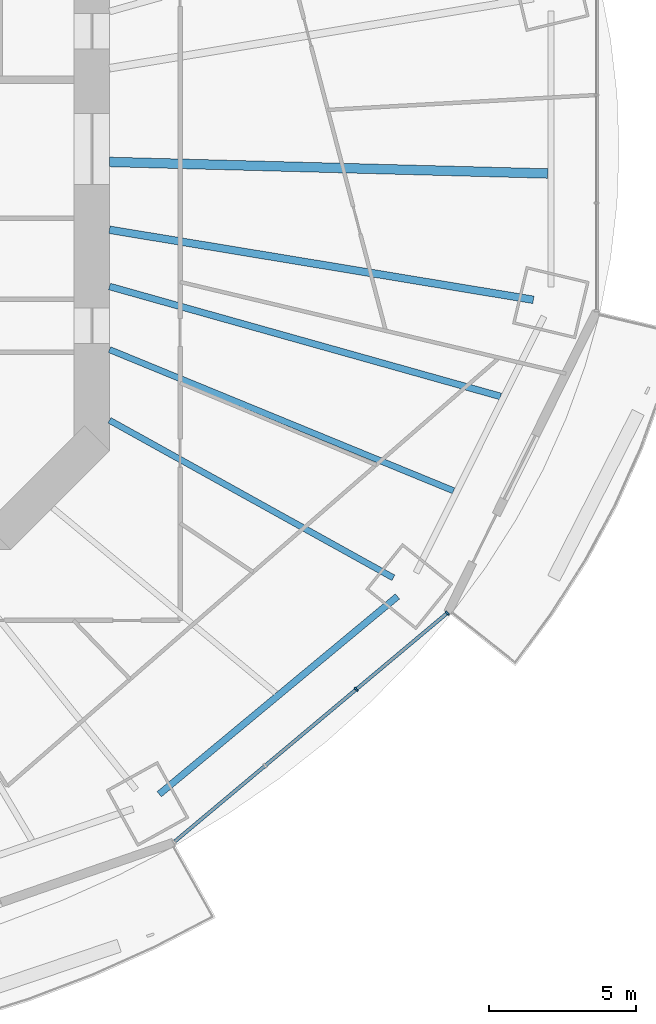
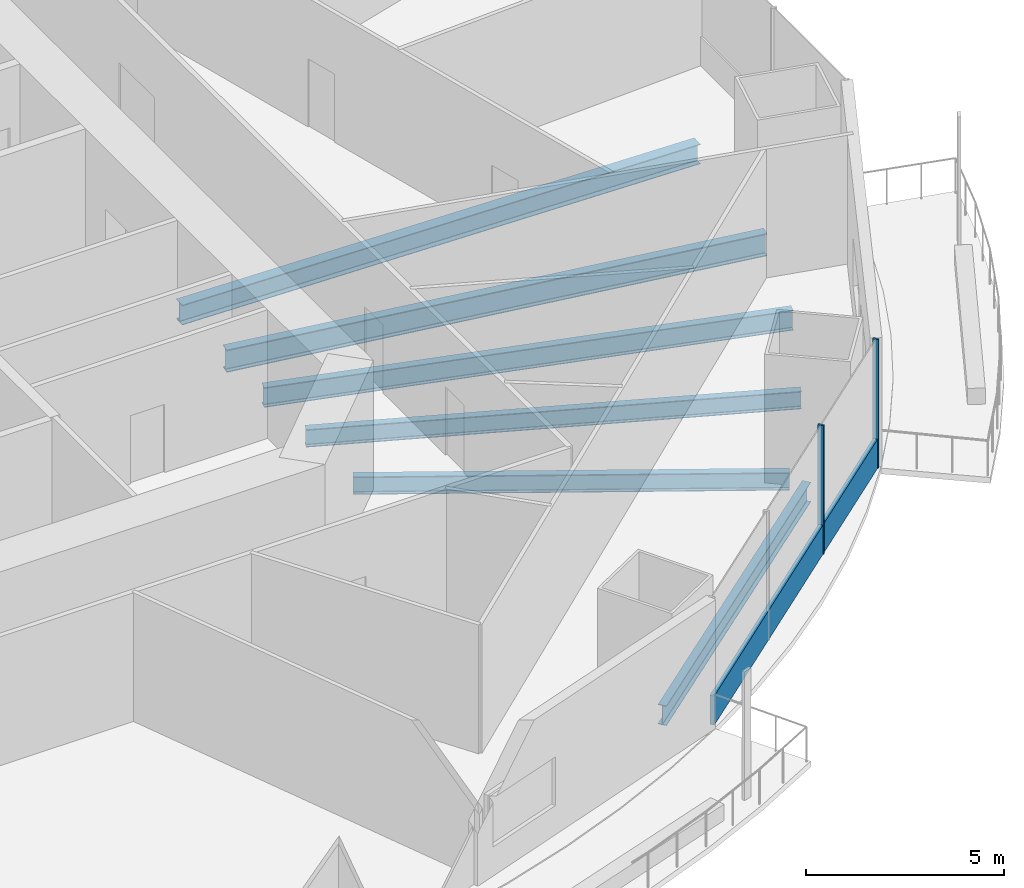
# One storey, part 5 of 21: 6 beams, 3 members, 1 element without a shape of its own.
"""IFC4 building model written with IfcOpenShell, lengths in metres."""

from ifc_helpers import new_model, si_unit, direction, frame, origin, origin_2d, place, context, subcontext, project, spatial, rectangle, i_section, extrude, material, material_profile, profile_set, type_object, element, aggregate, save


model = new_model("IFC4")

# Units and contexts
model_context = context("Model", 3, precision=1e-05, world=origin(), true_north=direction((0.0, 1.0)))
body_context = subcontext(model_context, "Body", "Model", "MODEL_VIEW")
ifc_project = project(units=[si_unit("LENGTHUNIT", "METRE"), si_unit("AREAUNIT", "SQUARE_METRE"), si_unit("VOLUMEUNIT", "CUBIC_METRE"), si_unit("PLANEANGLEUNIT", "RADIAN"), si_unit("MASSUNIT", "GRAM", prefix="KILO")], contexts=[model_context])

# Site, building, storey
site_placement = place(None, origin())
site = spatial("IfcSite", under=ifc_project, at=site_placement, CompositionType="ELEMENT")
building_placement = place(site_placement, origin())
building = spatial("IfcBuilding", under=site, at=building_placement, Name="Marenthal Gate Tower", CompositionType="ELEMENT")
storey_placement = place(building_placement, frame((0.0, 0.0, 120.14990234375)))
storey = spatial("IfcBuildingStorey", under=building, at=storey_placement, Name="L25", CompositionType="ELEMENT", Elevation=120.14990234375)

# Curtain wall, members
ifc_material_1 = material(Name="Aluminium and glass", Category="aluminium")
curtain_wall_type = type_object("IfcCurtainWallType", Name="Curtain wall typical low", PredefinedType="NOTDEFINED", material=ifc_material_1)
curtain_wall_placement = place(storey_placement, origin())
curtain_wall = element("IfcCurtainWall", 1, at=curtain_wall_placement, inside=storey, type_object=curtain_wall_type, Name="Curtain wall L25 bay 14", PredefinedType="NOTDEFINED")
ifc_material_2 = material(Name="Aluminium", Category="aluminium")
ifc_material_profile_1 = material_profile(ifc_material_2, rectangle(XDim=0.159912109375, YDim=0.06005859375, at=origin_2d()), Name="60x160 aluminium mullion")
ifc_profile_set_1 = profile_set([ifc_material_profile_1], Name="Aluminium")
member_type_1 = type_object("IfcMemberType", Name="Mullion 60x160 typical low", PredefinedType="MULLION", material=ifc_profile_set_1)
member_1_placement = place(storey_placement, frame((24.975830078125, -18.345947265625, 0.0), z_axis=(0.0, 0.0, 1.0), x_axis=(-0.642437868504, 0.766337774817, 0.0)))
member_1 = element("IfcMember", 2, at=member_1_placement, type_object=member_type_1, Name="Mullion L25 bay 14.3", PredefinedType="MULLION", context=body_context, shape_type="SweptSolid", body=[
    extrude(rectangle(XDim=0.159912109375, YDim=0.06005859375, at=origin_2d()), origin(), (0.0, 0.0, 1.0), 3.97021484375),
])
member_2_placement = place(storey_placement, frame((28.0673828125, -15.754150390625, 0.0), z_axis=(0.0, 0.0, 1.0), x_axis=(-0.642437868504, 0.766337774817, 0.0)))
member_2 = element("IfcMember", 3, at=member_2_placement, type_object=member_type_1, Name="Mullion L25 bay 14.4", PredefinedType="MULLION", context=body_context, shape_type="SweptSolid", body=[
    extrude(rectangle(XDim=0.159912109375, YDim=0.06005859375, at=origin_2d()), origin(), (0.0, 0.0, 1.0), 3.97021484375),
])
ifc_material_3 = material(Name="Aluminium", Category="aluminium")
ifc_material_profile_2 = material_profile(ifc_material_3, rectangle(XDim=0.1201171875, YDim=0.89990234375, at=origin_2d()), Name="120x900 aluminium transom")
ifc_profile_set_2 = profile_set([ifc_material_profile_2], Name="Aluminium")
member_type_2 = type_object("IfcMemberType", Name="Transom 120x900 typical low", PredefinedType="USERDEFINED", material=ifc_profile_set_2)
member_3_placement = place(storey_placement, frame((18.8154296875, -23.51025390625, 0.4501953125), z_axis=(0.766340278264, 0.642434882233, 0.0), x_axis=(-0.642434882233, 0.766340278264, 0.0)))
member_3 = element("IfcMember", 4, at=member_3_placement, type_object=member_type_2, Name="Transom L25 bay 14", ObjectType="TRANSOM", PredefinedType="USERDEFINED", context=body_context, shape_type="SweptSolid", body=[
    extrude(rectangle(XDim=0.1201171875, YDim=0.89990234375, at=origin_2d()), origin(), (0.0, 0.0, 1.0), 12.04296875),
])
aggregate(curtain_wall, [member_1, member_2, member_3])

# Beams
ifc_material_4 = material(Name="Steel S355", Category="steel")
ifc_material_profile_3 = material_profile(ifc_material_4, i_section(OverallWidth=0.2119140625, OverallDepth=0.5439453125, WebThickness=0.01318359375, FlangeThickness=0.021240234375, FilletRadius=0.0126953125, at=origin_2d()), Name="W530X123")
ifc_profile_set_3 = profile_set([ifc_material_profile_3], Name="Steel S355")
beam_type_1 = type_object("IfcBeamType", Name="W530X123 beam", PredefinedType="BEAM", material=ifc_profile_set_3)
beam_1_placement = place(storey_placement, frame((26.23779296875, -14.55810546875, -0.451904296875), z_axis=(-0.874421492378, 0.485167036872, 0.0), x_axis=(-0.485167036872, -0.874421492378, 0.0)))
element("IfcBeam", 5, at=beam_1_placement, inside=storey, type_object=beam_type_1, Name="BM-L25-15", PredefinedType="BEAM", context=body_context, shape_type="SweptSolid", body=[
    extrude(i_section(OverallWidth=0.2119140625, OverallDepth=0.5439453125, WebThickness=0.01318359375, FlangeThickness=0.021240234375, FilletRadius=0.0126953125, at=origin_2d()), origin(), (0.0, 0.0, 1.0), 11.021728515625),
])
beam_2_placement = place(storey_placement, frame((28.281005859375, -11.603515625, -0.451904296875), z_axis=(-0.925153122317, 0.379594125702, 0.0), x_axis=(-0.379594125702, -0.925153122317, 0.0)))
element("IfcBeam", 6, at=beam_2_placement, inside=storey, type_object=beam_type_1, Name="BM-L25-38", PredefinedType="BEAM", context=body_context, shape_type="SweptSolid", body=[
    extrude(i_section(OverallWidth=0.2119140625, OverallDepth=0.5439453125, WebThickness=0.01318359375, FlangeThickness=0.021240234375, FilletRadius=0.0126953125, at=origin_2d()), origin(), (0.0, 0.0, 1.0), 12.6259765625),
])
ifc_material_5 = material(Name="Steel S355", Category="steel")
ifc_material_profile_4 = material_profile(ifc_material_5, i_section(OverallWidth=0.22900390625, OverallDepth=0.612060546875, WebThickness=0.011962890625, FlangeThickness=0.01953125, FilletRadius=0.0126953125, at=origin_2d()), Name="W610X125")
ifc_profile_set_4 = profile_set([ifc_material_profile_4], Name="Steel S355")
beam_type_2 = type_object("IfcBeamType", Name="W610X125 beam", PredefinedType="BEAM", material=ifc_profile_set_4)
beam_3_placement = place(storey_placement, frame((29.87841796875, -8.401123046875, -0.48583984375), z_axis=(-0.962667661215, 0.270686117213, 0.0), x_axis=(-0.270686117213, -0.962667661215, 0.0)))
element("IfcBeam", 7, at=beam_3_placement, inside=storey, type_object=beam_type_2, Name="BM-L25-39", PredefinedType="BEAM", context=body_context, shape_type="SweptSolid", body=[
    extrude(i_section(OverallWidth=0.22900390625, OverallDepth=0.612060546875, WebThickness=0.011962890625, FlangeThickness=0.01953125, FilletRadius=0.0126953125, at=origin_2d()), origin(), (0.0, 0.0, 1.0), 13.793212890625),
])
beam_4_placement = place(storey_placement, frame((18.289794921875, -21.904541015625, -0.48583984375), z_axis=(0.769335786628, 0.638844619148, 0.0), x_axis=(-0.638844619148, 0.769335786628, 0.0)))
element("IfcBeam", 8, at=beam_4_placement, inside=storey, type_object=beam_type_2, Name="BM-L25-54", PredefinedType="BEAM", context=body_context, shape_type="SweptSolid", body=[
    extrude(i_section(OverallWidth=0.22900390625, OverallDepth=0.612060546875, WebThickness=0.011962890625, FlangeThickness=0.01953125, FilletRadius=0.0126953125, at=origin_2d()), origin(), (0.0, 0.0, 1.0), 10.510986328125),
])
ifc_material_6 = material(Name="Steel S355", Category="steel")
ifc_material_profile_5 = material_profile(ifc_material_6, i_section(OverallWidth=0.324951171875, OverallDepth=0.612060546875, WebThickness=0.0126953125, FlangeThickness=0.01904296875, FilletRadius=0.0126953125, at=origin_2d()), Name="W610X155")
ifc_profile_set_5 = profile_set([ifc_material_profile_5], Name="Steel S355")
beam_type_3 = type_object("IfcBeamType", Name="W610X155 beam", PredefinedType="BEAM", material=ifc_profile_set_5)
beam_5_placement = place(storey_placement, frame((31.479248046875, -0.831787109375, -0.48583984375), z_axis=(-0.999651246677, 0.026408048358, 0.0), x_axis=(-0.026408048358, -0.999651246677, 0.0)))
element("IfcBeam", 9, at=beam_5_placement, inside=storey, type_object=beam_type_3, Name="BM-L25-40", PredefinedType="BEAM", context=body_context, shape_type="SweptSolid", body=[
    extrude(i_section(OverallWidth=0.324951171875, OverallDepth=0.612060546875, WebThickness=0.0126953125, FlangeThickness=0.01904296875, FilletRadius=0.0126953125, at=origin_2d()), origin(), (0.0, 0.0, 1.0), 14.88427734375),
])
ifc_material_7 = material(Name="Steel S355", Category="steel")
ifc_material_profile_6 = material_profile(ifc_material_7, i_section(OverallWidth=0.257080078125, OverallDepth=0.693115234375, WebThickness=0.014404296875, FlangeThickness=0.023681640625, FilletRadius=0.015380859375, at=origin_2d()), Name="W690X170")
ifc_profile_set_6 = profile_set([ifc_material_profile_6], Name="Steel S355")
beam_type_4 = type_object("IfcBeamType", Name="W690X170 beam", PredefinedType="BEAM", material=ifc_profile_set_6)
beam_6_placement = place(storey_placement, frame((30.990478515625, -5.118896484375, -0.5263671875), z_axis=(-0.986631300462, 0.162968331122, 0.0), x_axis=(-0.162968331122, -0.986631300462, 0.0)))
element("IfcBeam", 10, at=beam_6_placement, inside=storey, type_object=beam_type_4, Name="BM-L25-16", PredefinedType="BEAM", context=body_context, shape_type="SweptSolid", body=[
    extrude(i_section(OverallWidth=0.257080078125, OverallDepth=0.693115234375, WebThickness=0.014404296875, FlangeThickness=0.023681640625, FilletRadius=0.015380859375, at=origin_2d()), origin(), (0.0, 0.0, 1.0), 14.58544921875),
])

save(model, "model.ifc")
